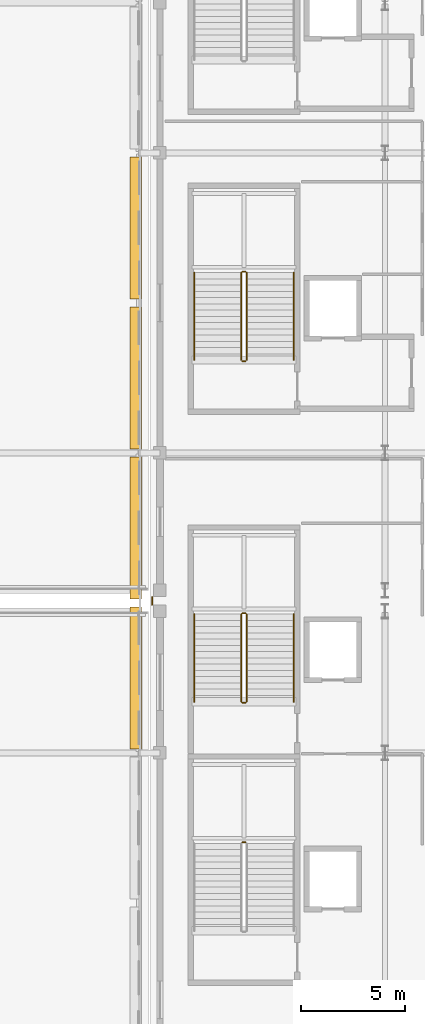
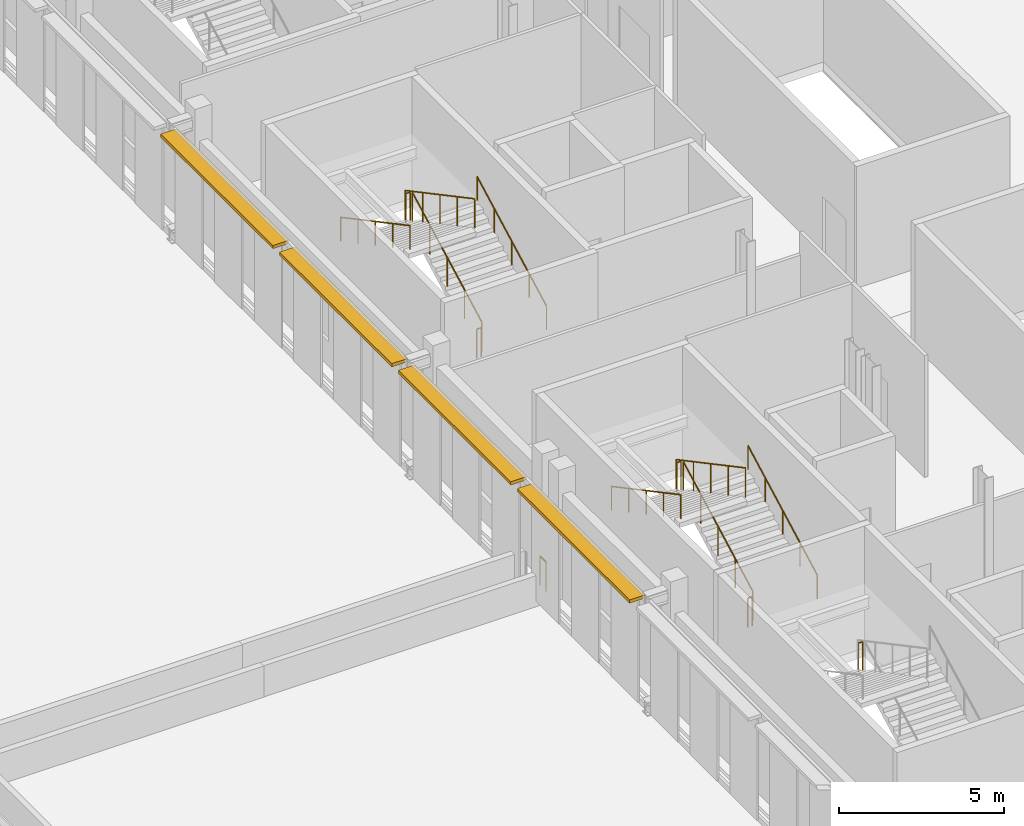
# One storey, part 58 of 74: 14 railings, 4 shading devices.
"""IFC4 building model written with IfcOpenShell, lengths in metres."""

from ifc_helpers import new_model, si_unit, direction, frame, origin, origin_2d, place, context, subcontext, project, spatial, rectangle, circle, extrude, material, type_object, element, save


model = new_model("IFC4")

# Units and contexts
model_context = context("Model", 3, precision=1e-05, world=origin(), true_north=direction((0.0, 1.0)))
body_context = subcontext(model_context, "Body", "Model", "MODEL_VIEW")
ifc_project = project(units=[si_unit("LENGTHUNIT", "METRE"), si_unit("AREAUNIT", "SQUARE_METRE"), si_unit("VOLUMEUNIT", "CUBIC_METRE"), si_unit("PLANEANGLEUNIT", "RADIAN"), si_unit("MASSUNIT", "GRAM", prefix="KILO")], contexts=[model_context])

# Site, building, storey
site_placement = place(None, origin())
site = spatial("IfcSite", under=ifc_project, at=site_placement, CompositionType="ELEMENT")
building_placement = place(site_placement, origin())
building = spatial("IfcBuilding", under=site, at=building_placement, Name="Koshinbarg Plaza Stadium", CompositionType="ELEMENT")
storey_placement = place(building_placement, frame((0.0, 0.0, 15.0)))
storey = spatial("IfcBuildingStorey", under=building, at=storey_placement, Name="L03", CompositionType="ELEMENT", Elevation=15.0)

# Railings
ifc_material_1 = material(Name="Toughened laminated glass and stainless steel sightline balustrade", Category="steel")
railing_type_1 = type_object("IfcRailingType", Name="RL-BOWL-1100", PredefinedType="BALUSTRADE", material=ifc_material_1)
railing_1_placement = place(storey_placement, frame((24.22509765625, 75.8173828125, 0.0)))
element("IfcRailing", 1, at=railing_1_placement, inside=storey, type_object=railing_type_1, Name="L03 deck edge safety balustrade 0228", PredefinedType="BALUSTRADE", context=body_context, shape_type="SweptSolid", body=[
    extrude(circle(Radius=0.02392578125, at=origin_2d()), frame((0.0, 0.0, 1.076171875), z_axis=(0.0, 1.0, 0.0), x_axis=(-1.0, 0.0, 0.0)), (0.0, 0.0, 1.0), 0.365234375),
    extrude(circle(Radius=0.02099609375, at=origin_2d()), origin(), (0.0, 0.0, 1.0), 1.052001953125),
    extrude(circle(Radius=0.02099609375, at=origin_2d()), frame((0.0, 0.365234375, 0.0)), (0.0, 0.0, 1.0), 1.052001953125),
])
ifc_material_2 = material(Name="Galvanized painted steel guardrail", Category="steel")
railing_type_2 = type_object("IfcRailingType", Name="RL-GUARD-1100", PredefinedType="GUARDRAIL", material=ifc_material_2)
railing_2_placement = place(storey_placement, frame((28.7099609375, 64.409912109375, 2.39990234375)))
element("IfcRailing", 2, at=railing_2_placement, inside=storey, type_object=railing_type_2, Name="L03 C03 stair guard 2", PredefinedType="GUARDRAIL", context=body_context, shape_type="SweptSolid", body=[
    extrude(circle(Radius=0.02392578125, at=origin_2d()), frame((0.0, 0.0, 1.076171875), z_axis=(-1.0, 0.0, 0.0), x_axis=(0.0, -1.0, 0.0)), (0.0, 0.0, 1.0), 0.14990234375),
    extrude(circle(Radius=0.02099609375, at=origin_2d()), origin(), (0.0, 0.0, 1.0), 1.052001953125),
    extrude(circle(Radius=0.02099609375, at=origin_2d()), frame((-0.14990234375, 0.0, 0.0)), (0.0, 0.0, 1.0), 1.052001953125),
])
railing_3_placement = place(storey_placement, frame((28.760009765625, 71.159912109375, 0.159912109375)))
element("IfcRailing", 3, at=railing_3_placement, inside=storey, type_object=railing_type_2, Name="L03 C04 stair guard 1", PredefinedType="GUARDRAIL", context=body_context, shape_type="SweptSolid", body=[
    extrude(circle(Radius=0.02392578125, at=origin_2d()), frame((0.0, 0.0, 1.076171875), z_axis=(0.0, 0.882362879185, 0.470569601054), x_axis=(-1.0, 0.0, 0.0)), (0.0, 0.0, 1.0), 4.76025390625),
    extrude(circle(Radius=0.02099609375, at=origin_2d()), origin(), (0.0, 0.0, 1.0), 1.052001953125),
    extrude(circle(Radius=0.02099609375, at=origin_2d()), frame((0.0, 1.050048828125, 0.56005859375)), (0.0, 0.0, 1.0), 1.052001953125),
    extrude(circle(Radius=0.02099609375, at=origin_2d()), frame((0.0, 2.10009765625, 1.1201171875)), (0.0, 0.0, 1.0), 1.052001953125),
    extrude(circle(Radius=0.02099609375, at=origin_2d()), frame((0.0, 3.150146484375, 1.679931640625)), (0.0, 0.0, 1.0), 1.052001953125),
    extrude(circle(Radius=0.02099609375, at=origin_2d()), frame((0.0, 4.2001953125, 2.239990234375)), (0.0, 0.0, 1.0), 1.052001953125),
])
railing_4_placement = place(storey_placement, frame((28.7099609375, 75.409912109375, 2.39990234375)))
element("IfcRailing", 4, at=railing_4_placement, inside=storey, type_object=railing_type_2, Name="L03 C04 stair guard 2", PredefinedType="GUARDRAIL", context=body_context, shape_type="SweptSolid", body=[
    extrude(circle(Radius=0.02392578125, at=origin_2d()), frame((0.0, 0.0, 1.076171875), z_axis=(-1.0, 0.0, 0.0), x_axis=(0.0, -1.0, 0.0)), (0.0, 0.0, 1.0), 0.14990234375),
    extrude(circle(Radius=0.02099609375, at=origin_2d()), origin(), (0.0, 0.0, 1.0), 1.052001953125),
    extrude(circle(Radius=0.02099609375, at=origin_2d()), frame((-0.14990234375, 0.0, 0.0)), (0.0, 0.0, 1.0), 1.052001953125),
])
railing_5_placement = place(storey_placement, frame((28.510009765625, 75.360107421875, 2.56005859375)))
element("IfcRailing", 5, at=railing_5_placement, inside=storey, type_object=railing_type_2, Name="L03 C04 stair guard 3", PredefinedType="GUARDRAIL", context=body_context, shape_type="SweptSolid", body=[
    extrude(circle(Radius=0.02392578125, at=origin_2d()), frame((0.0, 0.0, 1.076171875), z_axis=(0.0, -0.882362879185, 0.470569601054), x_axis=(1.0, 0.0, 0.0)), (0.0, 0.0, 1.0), 4.76025390625),
    extrude(circle(Radius=0.02099609375, at=origin_2d()), origin(), (0.0, 0.0, 1.0), 1.052001953125),
    extrude(circle(Radius=0.02099609375, at=origin_2d()), frame((0.0, -1.050048828125, 0.56005859375)), (0.0, 0.0, 1.0), 1.052001953125),
    extrude(circle(Radius=0.02099609375, at=origin_2d()), frame((0.0, -2.10009765625, 1.1201171875)), (0.0, 0.0, 1.0), 1.052001953125),
    extrude(circle(Radius=0.02099609375, at=origin_2d()), frame((0.0, -3.150146484375, 1.679931640625)), (0.0, 0.0, 1.0), 1.052001953125),
    extrude(circle(Radius=0.02099609375, at=origin_2d()), frame((0.0, -4.2001953125, 2.239990234375)), (0.0, 0.0, 1.0), 1.052001953125),
])
railing_6_placement = place(storey_placement, frame((28.7099609375, 71.110107421875, 0.0)))
element("IfcRailing", 6, at=railing_6_placement, inside=storey, type_object=railing_type_2, Name="L03 C04 stair guard 4", PredefinedType="GUARDRAIL", context=body_context, shape_type="SweptSolid", body=[
    extrude(circle(Radius=0.02392578125, at=origin_2d()), frame((0.0, 0.0, 1.076171875), z_axis=(-1.0, 0.0, 0.0), x_axis=(0.0, -1.0, 0.0)), (0.0, 0.0, 1.0), 0.14990234375),
    extrude(circle(Radius=0.02099609375, at=origin_2d()), origin(), (0.0, 0.0, 1.0), 1.052001953125),
    extrude(circle(Radius=0.02099609375, at=origin_2d()), frame((-0.14990234375, 0.0, 0.0)), (0.0, 0.0, 1.0), 1.052001953125),
])
railing_7_placement = place(storey_placement, frame((28.760009765625, 87.56005859375, 0.159912109375)))
element("IfcRailing", 7, at=railing_7_placement, inside=storey, type_object=railing_type_2, Name="L03 C05 stair guard 1", PredefinedType="GUARDRAIL", context=body_context, shape_type="SweptSolid", body=[
    extrude(circle(Radius=0.02392578125, at=origin_2d()), frame((0.0, 0.0, 1.076171875), z_axis=(0.0, 0.882351521365, 0.470590897432), x_axis=(-1.0, 0.0, 0.0)), (0.0, 0.0, 1.0), 4.760009765625),
    extrude(circle(Radius=0.02099609375, at=origin_2d()), origin(), (0.0, 0.0, 1.0), 1.052001953125),
    extrude(circle(Radius=0.02099609375, at=origin_2d()), frame((0.0, 1.050048828125, 0.56005859375)), (0.0, 0.0, 1.0), 1.052001953125),
    extrude(circle(Radius=0.02099609375, at=origin_2d()), frame((0.0, 2.10009765625, 1.1201171875)), (0.0, 0.0, 1.0), 1.052001953125),
    extrude(circle(Radius=0.02099609375, at=origin_2d()), frame((0.0, 3.14990234375, 1.679931640625)), (0.0, 0.0, 1.0), 1.052001953125),
    extrude(circle(Radius=0.02099609375, at=origin_2d()), frame((0.0, 4.199951171875, 2.239990234375)), (0.0, 0.0, 1.0), 1.052001953125),
])
railing_8_placement = place(storey_placement, frame((28.7099609375, 91.81005859375, 2.39990234375)))
element("IfcRailing", 8, at=railing_8_placement, inside=storey, type_object=railing_type_2, Name="L03 C05 stair guard 2", PredefinedType="GUARDRAIL", context=body_context, shape_type="SweptSolid", body=[
    extrude(circle(Radius=0.02392578125, at=origin_2d()), frame((0.0, 0.0, 1.076171875), z_axis=(-1.0, 0.0, 0.0), x_axis=(0.0, -1.0, 0.0)), (0.0, 0.0, 1.0), 0.14990234375),
    extrude(circle(Radius=0.02099609375, at=origin_2d()), origin(), (0.0, 0.0, 1.0), 1.052001953125),
    extrude(circle(Radius=0.02099609375, at=origin_2d()), frame((-0.14990234375, 0.0, 0.0)), (0.0, 0.0, 1.0), 1.052001953125),
])
railing_9_placement = place(storey_placement, frame((28.510009765625, 91.760009765625, 2.56005859375)))
element("IfcRailing", 9, at=railing_9_placement, inside=storey, type_object=railing_type_2, Name="L03 C05 stair guard 3", PredefinedType="GUARDRAIL", context=body_context, shape_type="SweptSolid", body=[
    extrude(circle(Radius=0.02392578125, at=origin_2d()), frame((0.0, 0.0, 1.076171875), z_axis=(0.0, -0.882351521365, 0.470590897432), x_axis=(1.0, 0.0, 0.0)), (0.0, 0.0, 1.0), 4.760009765625),
    extrude(circle(Radius=0.02099609375, at=origin_2d()), origin(), (0.0, 0.0, 1.0), 1.052001953125),
    extrude(circle(Radius=0.02099609375, at=origin_2d()), frame((0.0, -1.050048828125, 0.56005859375)), (0.0, 0.0, 1.0), 1.052001953125),
    extrude(circle(Radius=0.02099609375, at=origin_2d()), frame((0.0, -2.10009765625, 1.1201171875)), (0.0, 0.0, 1.0), 1.052001953125),
    extrude(circle(Radius=0.02099609375, at=origin_2d()), frame((0.0, -3.14990234375, 1.679931640625)), (0.0, 0.0, 1.0), 1.052001953125),
    extrude(circle(Radius=0.02099609375, at=origin_2d()), frame((0.0, -4.199951171875, 2.239990234375)), (0.0, 0.0, 1.0), 1.052001953125),
])
railing_10_placement = place(storey_placement, frame((28.7099609375, 87.510009765625, 0.0)))
element("IfcRailing", 10, at=railing_10_placement, inside=storey, type_object=railing_type_2, Name="L03 C05 stair guard 4", PredefinedType="GUARDRAIL", context=body_context, shape_type="SweptSolid", body=[
    extrude(circle(Radius=0.02392578125, at=origin_2d()), frame((0.0, 0.0, 1.076171875), z_axis=(-1.0, 0.0, 0.0), x_axis=(0.0, -1.0, 0.0)), (0.0, 0.0, 1.0), 0.14990234375),
    extrude(circle(Radius=0.02099609375, at=origin_2d()), origin(), (0.0, 0.0, 1.0), 1.052001953125),
    extrude(circle(Radius=0.02099609375, at=origin_2d()), frame((-0.14990234375, 0.0, 0.0)), (0.0, 0.0, 1.0), 1.052001953125),
])
ifc_material_3 = material(Name="Brushed stainless steel handrail", Category="steel")
railing_type_3 = type_object("IfcRailingType", Name="RL-HAND-900", PredefinedType="HANDRAIL", material=ifc_material_3)
railing_11_placement = place(storey_placement, frame((31.02001953125, 71.159912109375, 0.159912109375)))
element("IfcRailing", 11, at=railing_11_placement, inside=storey, type_object=railing_type_3, Name="L03 C04 stair handrail 1", PredefinedType="HANDRAIL", context=body_context, shape_type="SweptSolid", body=[
    extrude(circle(Radius=0.02392578125, at=origin_2d()), frame((0.0, 0.0, 0.8759765625), z_axis=(0.0, 0.882362879185, 0.470569601054), x_axis=(-1.0, 0.0, 0.0)), (0.0, 0.0, 1.0), 4.76025390625),
    extrude(circle(Radius=0.02099609375, at=origin_2d()), origin(), (0.0, 0.0, 1.0), 0.851806640625),
    extrude(circle(Radius=0.02099609375, at=origin_2d()), frame((0.0, 1.050048828125, 0.56005859375)), (0.0, 0.0, 1.0), 0.851806640625),
    extrude(circle(Radius=0.02099609375, at=origin_2d()), frame((0.0, 2.10009765625, 1.1201171875)), (0.0, 0.0, 1.0), 0.851806640625),
    extrude(circle(Radius=0.02099609375, at=origin_2d()), frame((0.0, 3.150146484375, 1.679931640625)), (0.0, 0.0, 1.0), 0.851806640625),
    extrude(circle(Radius=0.02099609375, at=origin_2d()), frame((0.0, 4.2001953125, 2.239990234375)), (0.0, 0.0, 1.0), 0.851806640625),
])
railing_12_placement = place(storey_placement, frame((26.25, 75.360107421875, 2.56005859375)))
element("IfcRailing", 12, at=railing_12_placement, inside=storey, type_object=railing_type_3, Name="L03 C04 stair handrail 2", PredefinedType="HANDRAIL", context=body_context, shape_type="SweptSolid", body=[
    extrude(circle(Radius=0.02392578125, at=origin_2d()), frame((0.0, 0.0, 0.8759765625), z_axis=(0.0, -0.882362879185, 0.470569601054), x_axis=(1.0, 0.0, 0.0)), (0.0, 0.0, 1.0), 4.76025390625),
    extrude(circle(Radius=0.02099609375, at=origin_2d()), origin(), (0.0, 0.0, 1.0), 0.851806640625),
    extrude(circle(Radius=0.02099609375, at=origin_2d()), frame((0.0, -1.050048828125, 0.56005859375)), (0.0, 0.0, 1.0), 0.851806640625),
    extrude(circle(Radius=0.02099609375, at=origin_2d()), frame((0.0, -2.10009765625, 1.1201171875)), (0.0, 0.0, 1.0), 0.851806640625),
    extrude(circle(Radius=0.02099609375, at=origin_2d()), frame((0.0, -3.150146484375, 1.679931640625)), (0.0, 0.0, 1.0), 0.851806640625),
    extrude(circle(Radius=0.02099609375, at=origin_2d()), frame((0.0, -4.2001953125, 2.239990234375)), (0.0, 0.0, 1.0), 0.851806640625),
])
railing_13_placement = place(storey_placement, frame((31.02001953125, 87.56005859375, 0.159912109375)))
element("IfcRailing", 13, at=railing_13_placement, inside=storey, type_object=railing_type_3, Name="L03 C05 stair handrail 1", PredefinedType="HANDRAIL", context=body_context, shape_type="SweptSolid", body=[
    extrude(circle(Radius=0.02392578125, at=origin_2d()), frame((0.0, 0.0, 0.8759765625), z_axis=(0.0, 0.882351521365, 0.470590897432), x_axis=(-1.0, 0.0, 0.0)), (0.0, 0.0, 1.0), 4.760009765625),
    extrude(circle(Radius=0.02099609375, at=origin_2d()), origin(), (0.0, 0.0, 1.0), 0.851806640625),
    extrude(circle(Radius=0.02099609375, at=origin_2d()), frame((0.0, 1.050048828125, 0.56005859375)), (0.0, 0.0, 1.0), 0.851806640625),
    extrude(circle(Radius=0.02099609375, at=origin_2d()), frame((0.0, 2.10009765625, 1.1201171875)), (0.0, 0.0, 1.0), 0.851806640625),
    extrude(circle(Radius=0.02099609375, at=origin_2d()), frame((0.0, 3.14990234375, 1.679931640625)), (0.0, 0.0, 1.0), 0.851806640625),
    extrude(circle(Radius=0.02099609375, at=origin_2d()), frame((0.0, 4.199951171875, 2.239990234375)), (0.0, 0.0, 1.0), 0.851806640625),
])
railing_14_placement = place(storey_placement, frame((26.25, 91.760009765625, 2.56005859375)))
element("IfcRailing", 14, at=railing_14_placement, inside=storey, type_object=railing_type_3, Name="L03 C05 stair handrail 2", PredefinedType="HANDRAIL", context=body_context, shape_type="SweptSolid", body=[
    extrude(circle(Radius=0.02392578125, at=origin_2d()), frame((0.0, 0.0, 0.8759765625), z_axis=(0.0, -0.882351521365, 0.470590897432), x_axis=(1.0, 0.0, 0.0)), (0.0, 0.0, 1.0), 4.760009765625),
    extrude(circle(Radius=0.02099609375, at=origin_2d()), origin(), (0.0, 0.0, 1.0), 0.851806640625),
    extrude(circle(Radius=0.02099609375, at=origin_2d()), frame((0.0, -1.050048828125, 0.56005859375)), (0.0, 0.0, 1.0), 0.851806640625),
    extrude(circle(Radius=0.02099609375, at=origin_2d()), frame((0.0, -2.10009765625, 1.1201171875)), (0.0, 0.0, 1.0), 0.851806640625),
    extrude(circle(Radius=0.02099609375, at=origin_2d()), frame((0.0, -3.14990234375, 1.679931640625)), (0.0, 0.0, 1.0), 0.851806640625),
    extrude(circle(Radius=0.02099609375, at=origin_2d()), frame((0.0, -4.199951171875, 2.239990234375)), (0.0, 0.0, 1.0), 0.851806640625),
])

# Shading devices
ifc_material_4 = material(Name="Off-white powder-coated aluminium sun-baffle louvre", Category="aluminium")
shading_device_type = type_object("IfcShadingDeviceType", Name="SHD-LOUVRE-01", PredefinedType="USERDEFINED", material=ifc_material_4)
for number, where, z_axis, x_axis, name in (
    (15, (23.429931640625, 72.300048828125, 4.119873046875), (0.0, 0.0, 1.0), (1.0, 0.0, 0.0), "L03 solar brise-soleil louvre 07"),
    (16, (23.429931640625, 79.5, 4.119873046875), (0.0, 0.0, 1.0), (1.0, 0.0, 0.0), "L03 solar brise-soleil louvre 08"),
    (17, (23.429931640625, 86.699951171875, 4.119873046875), (0.0, 0.0, 1.0), (1.0, 0.0, 0.0), "L03 solar brise-soleil louvre 09"),
    (18, (23.429931640625, 93.89990234375, 4.119873046875), (0.0, 0.0, 1.0), (1.0, 0.0, 0.0), "L03 solar brise-soleil louvre 10"),
):
    element("IfcShadingDevice", number, at=place(storey_placement, frame(where, z_axis=z_axis, x_axis=x_axis)), inside=storey, type_object=shading_device_type, Name=name, ObjectType="LOUVRE", PredefinedType="USERDEFINED", context=body_context, shape_type="SweptSolid", body=[
        extrude(rectangle(XDim=0.550048828125, YDim=6.800048828125, at=origin_2d()), origin(), (0.0, 0.0, 1.0), 0.1201171875),
    ])

save(model, "model.ifc")
